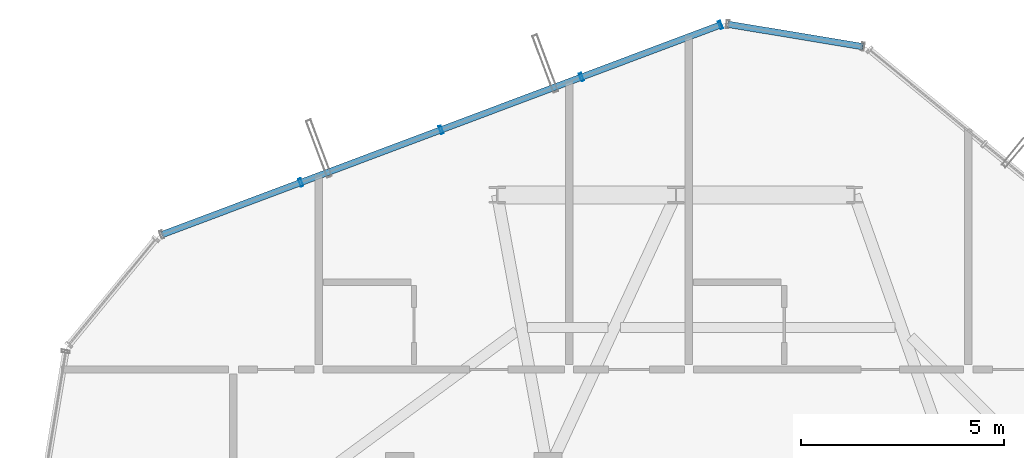
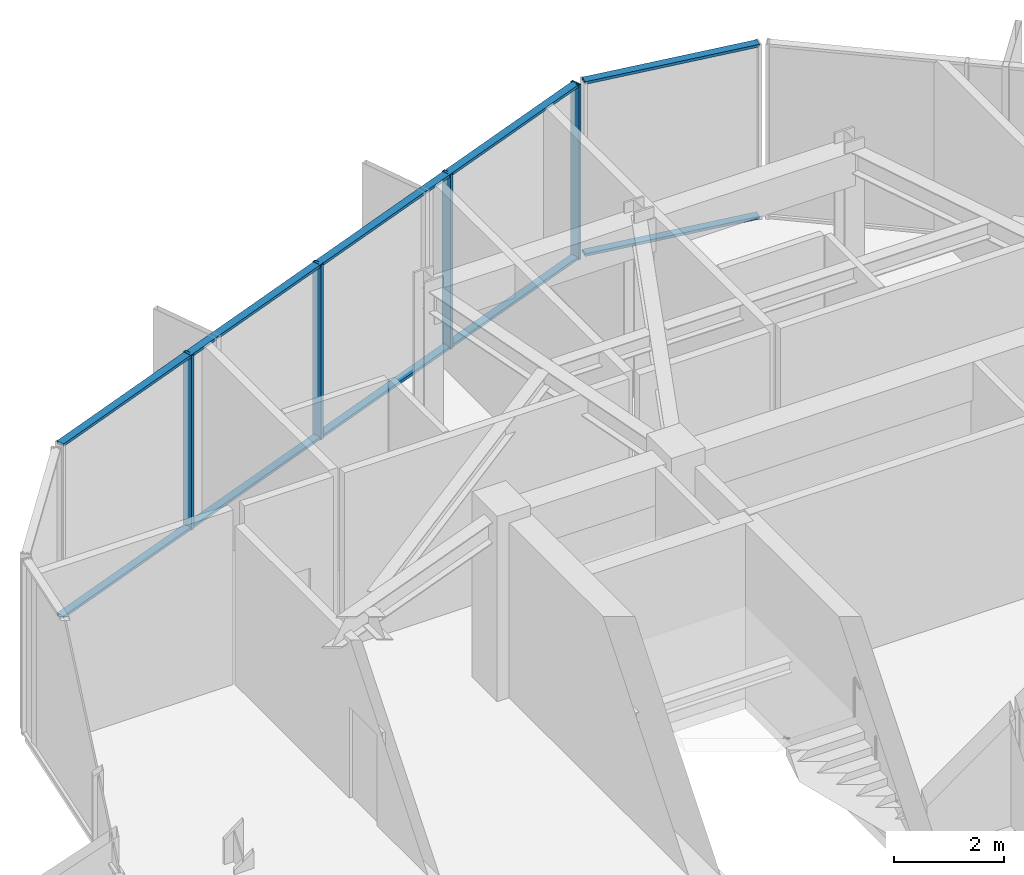
# One storey, part 15 of 22: 8 members, 2 elements without a shape of their own.
"""IFC4 building model written with IfcOpenShell, lengths in metres."""

from ifc_helpers import new_model, si_unit, direction, frame, origin, origin_2d, place, context, subcontext, project, spatial, hollow_rectangle, extrude, source, transform, mapped, material, layer, layer_set, material_profile, profile_set, type_object, element, aggregate, save


model = new_model("IFC4")

# Units and contexts
model_context = context("Model", 3, precision=1e-05, world=origin(), true_north=direction((0.0, 1.0)))
body_context = subcontext(model_context, "Body", "Model", "MODEL_VIEW")
ifc_project = project(units=[si_unit("LENGTHUNIT", "METRE"), si_unit("AREAUNIT", "SQUARE_METRE"), si_unit("VOLUMEUNIT", "CUBIC_METRE"), si_unit("PLANEANGLEUNIT", "RADIAN"), si_unit("MASSUNIT", "GRAM", prefix="KILO")], contexts=[model_context])

# Site, building, storey
site_placement = place(None, origin())
site = spatial("IfcSite", under=ifc_project, at=site_placement, CompositionType="ELEMENT")
building_placement = place(site_placement, origin())
building = spatial("IfcBuilding", under=site, at=building_placement, Name="Veraguas Prism Commons", CompositionType="ELEMENT")
storey_placement = place(building_placement, frame((0.0, 0.0, 240.64990234375)))
storey = spatial("IfcBuildingStorey", under=building, at=storey_placement, Name="L68", CompositionType="ELEMENT", Elevation=240.64990234375)

# Curtain wall, members
ifc_material = material(Name="Anodised aluminium EN AW-6063 T6", Category="aluminium")
ifc_layer = layer(ifc_material, 0.199951171875, Name="Sky Lobby and Pool Acoustic Curtain Wall", Category="aluminium")
ifc_layer_set = layer_set([ifc_layer], Name="Anodised aluminium EN AW-6063 T6")
curtain_wall_type = type_object("IfcCurtainWallType", Name="Sky Lobby and Pool Acoustic Curtain Wall", PredefinedType="NOTDEFINED", material=ifc_layer_set)
curtain_wall_1_placement = place(storey_placement, origin())
curtain_wall_1 = element("IfcCurtainWall", 1, at=curtain_wall_1_placement, inside=storey, type_object=curtain_wall_type, Name="Tower Facade Curtain Wall L68-F2", PredefinedType="NOTDEFINED")
ifc_material_profile_1 = material_profile(ifc_material, hollow_rectangle(XDim=0.06494140625, YDim=0.199951171875, WallThickness=0.00390625, at=origin_2d()), Name="AL65X200X4")
ifc_profile_set_1 = profile_set([ifc_material_profile_1], Name="Anodised aluminium EN AW-6063 T6")
member_type_1 = type_object("IfcMemberType", Name="Curtain Wall Mullion Heavy AL 65x200x4", PredefinedType="MULLION", material=ifc_profile_set_1)
shared_shape_1 = source(origin(), body_context, "Body", "SweptSolid", [
    extrude(hollow_rectangle(XDim=0.06494140625, YDim=0.199951171875, WallThickness=0.00390625, at=origin_2d()), origin(), (0.0, 0.0, 1.0), 3.864990234375),
])
member_1_placement = place(storey_placement, frame((25.09765625, 41.98828125, 0.0), z_axis=(0.0, 0.0, 1.0), x_axis=(-0.936182294613, -0.351514880558, 0.0)))
member_1 = element("IfcMember", 2, at=member_1_placement, type_object=member_type_1, Name="CW-SKY Mullion 1", PredefinedType="MULLION", context=body_context, shape_type="MappedRepresentation", body=[
    mapped(shared_shape_1, transform((0.0, 0.0, 0.0), scale=1.0)),
])
member_2_placement = place(storey_placement, frame((21.672119140625, 40.7021484375, 0.0), z_axis=(0.0, 0.0, 1.0), x_axis=(-0.936182294613, -0.351514880558, 0.0)))
member_2 = element("IfcMember", 3, at=member_2_placement, type_object=member_type_1, Name="CW-SKY Mullion 2", PredefinedType="MULLION", context=body_context, shape_type="MappedRepresentation", body=[
    mapped(shared_shape_1, transform((0.0, 0.0, 0.0), scale=1.0)),
])
member_3_placement = place(storey_placement, frame((18.216064453125, 39.404296875, 0.0), z_axis=(0.0, 0.0, 1.0), x_axis=(-0.936182294613, -0.351514880558, 0.0)))
member_3 = element("IfcMember", 4, at=member_3_placement, type_object=member_type_1, Name="CW-SKY Mullion 3", PredefinedType="MULLION", context=body_context, shape_type="MappedRepresentation", body=[
    mapped(shared_shape_1, transform((0.0, 0.0, 0.0), scale=1.0)),
])
member_4_placement = place(storey_placement, frame((14.760009765625, 38.106689453125, 0.0), z_axis=(0.0, 0.0, 1.0), x_axis=(-0.936182294613, -0.351514880558, 0.0)))
member_4 = element("IfcMember", 5, at=member_4_placement, type_object=member_type_1, Name="CW-SKY Mullion 4", PredefinedType="MULLION", context=body_context, shape_type="MappedRepresentation", body=[
    mapped(shared_shape_1, transform((0.0, 0.0, 0.0), scale=1.0)),
])
ifc_material_profile_2 = material_profile(ifc_material, hollow_rectangle(XDim=0.06005859375, YDim=0.159912109375, WallThickness=0.0029296875, at=origin_2d()), Name="AL60X160X3")
ifc_profile_set_2 = profile_set([ifc_material_profile_2], Name="Anodised aluminium EN AW-6063 T6")
member_type_2 = type_object("IfcMemberType", Name="Curtain Wall Transom Heavy AL 60x160x3", PredefinedType="USERDEFINED", material=ifc_profile_set_2)
shared_shape_2 = source(origin(), body_context, "Body", "SweptSolid", [
    extrude(hollow_rectangle(XDim=0.06005859375, YDim=0.159912109375, WallThickness=0.0029296875, at=origin_2d()), origin(), (0.0, 0.0, 1.0), 14.701416015625),
])
member_5_placement = place(storey_placement, frame((25.09765625, 41.98828125, 0.030029296875), z_axis=(-0.936183049085, -0.351512871181, 0.0), x_axis=(0.0, 0.0, 1.0)))
member_5 = element("IfcMember", 6, at=member_5_placement, type_object=member_type_2, Name="CW-SKY Transom 1", ObjectType="TRANSOM", PredefinedType="USERDEFINED", context=body_context, shape_type="MappedRepresentation", body=[
    mapped(shared_shape_2, transform((0.0, 0.0, 0.0), scale=1.0)),
])
member_6_placement = place(storey_placement, frame((25.09765625, 41.98828125, 3.835205078125), z_axis=(-0.936183049085, -0.351512871181, 0.0), x_axis=(0.0, 0.0, 1.0)))
member_6 = element("IfcMember", 7, at=member_6_placement, type_object=member_type_2, Name="CW-SKY Transom 2", ObjectType="TRANSOM", PredefinedType="USERDEFINED", context=body_context, shape_type="MappedRepresentation", body=[
    mapped(shared_shape_2, transform((0.0, 0.0, 0.0), scale=1.0)),
])
aggregate(curtain_wall_1, [member_1, member_2, member_3, member_4, member_5, member_6])

curtain_wall_2_placement = place(storey_placement, origin())
curtain_wall_2 = element("IfcCurtainWall", 8, at=curtain_wall_2_placement, inside=storey, type_object=curtain_wall_type, Name="Chamfer Curtain Wall L68-C2", PredefinedType="NOTDEFINED")
shared_shape_3 = source(origin(), body_context, "Body", "SweptSolid", [
    extrude(hollow_rectangle(XDim=0.06005859375, YDim=0.159912109375, WallThickness=0.0029296875, at=origin_2d()), origin(), (0.0, 0.0, 1.0), 3.377685546875),
])
member_7_placement = place(storey_placement, frame((28.607421875, 41.452880859375, 0.030029296875), z_axis=(-0.986518668655, 0.16364875922, 0.0), x_axis=(0.0, 0.0, 1.0)))
member_7 = element("IfcMember", 9, at=member_7_placement, type_object=member_type_2, Name="CW-SKY Transom 1", ObjectType="TRANSOM", PredefinedType="USERDEFINED", context=body_context, shape_type="MappedRepresentation", body=[
    mapped(shared_shape_3, transform((0.0, 0.0, 0.0), scale=1.0)),
])
member_8_placement = place(storey_placement, frame((28.607421875, 41.452880859375, 3.835205078125), z_axis=(-0.986518668655, 0.16364875922, 0.0), x_axis=(0.0, 0.0, 1.0)))
member_8 = element("IfcMember", 10, at=member_8_placement, type_object=member_type_2, Name="CW-SKY Transom 2", ObjectType="TRANSOM", PredefinedType="USERDEFINED", context=body_context, shape_type="MappedRepresentation", body=[
    mapped(shared_shape_3, transform((0.0, 0.0, 0.0), scale=1.0)),
])
aggregate(curtain_wall_2, [member_7, member_8])

save(model, "model.ifc")
